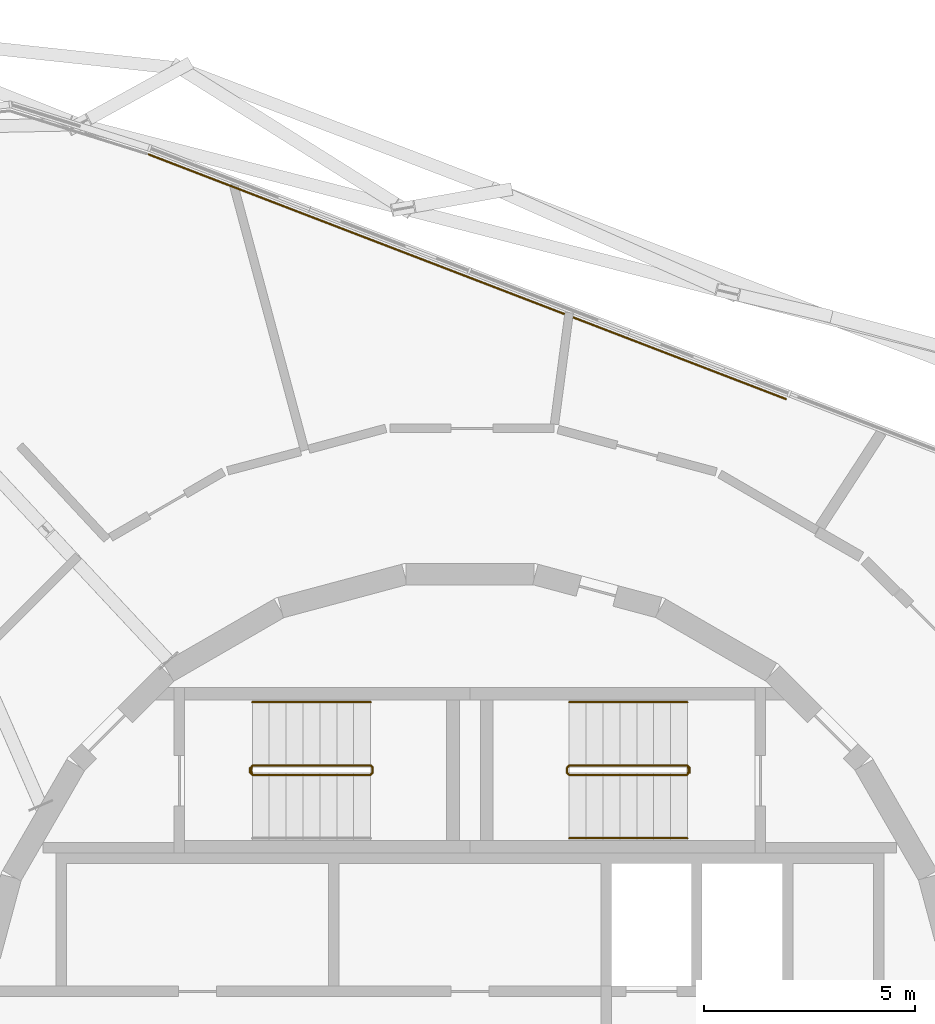
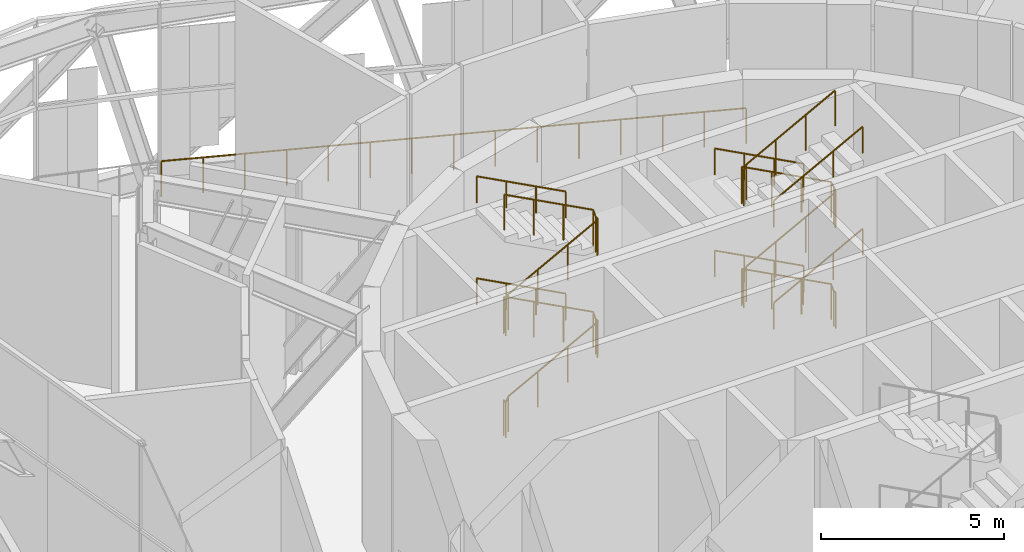
# One storey, part 25 of 25: 9 railings.
"""IFC4 building model written with IfcOpenShell, lengths in metres."""

import ifcopenshell
import ifcopenshell.guid

model = None  # the IFC model being written
_history = None  # IfcOwnerHistory: only IFC2X3 demands one
_inside = {}  # id of a spatial element -> (the spatial element, [elements in it])
_under = {}  # id of a project, library or spatial element -> (it, [spatial elements below it])
_declared = {}  # id of a project -> (the project, [libraries it declares])
_typed = {}  # id of a type object -> (the type object, [elements of that type])
_made_of = {}  # id of a material, layer set ... -> (it, [elements and type objects made of it])


def new_model(schema):
    """Start an empty IFC model of exactly this schema.

    Asked for "IFC4X3", IfcOpenShell would pick the latest addendum, in which some entities
    have other attributes; the version numbers below select the first issue.
    IFC2X3 requires an IfcOwnerHistory on every rooted entity: one is made here for all.
    """
    global model, _history
    if schema == "IFC4X3":
        model = ifcopenshell.file(schema_version=(4, 3, 0, 0))
    else:
        model = ifcopenshell.file(schema=schema)
    _inside.clear()
    _under.clear()
    _declared.clear()
    _typed.clear()
    _made_of.clear()
    _history = None
    if model.schema == "IFC2X3":
        org = make("IfcOrganization", Name="unknown")
        user = make(
            "IfcPersonAndOrganization",
            ThePerson=make("IfcPerson", FamilyName="unknown"),
            TheOrganization=org,
        )
        app = make(
            "IfcApplication",
            ApplicationDeveloper=org,
            Version="unknown",
            ApplicationFullName="unknown",
            ApplicationIdentifier="unknown",
        )
        _history = make(
            "IfcOwnerHistory",
            OwningUser=user,
            OwningApplication=app,
            ChangeAction="ADDED",
            CreationDate=0,
        )
    return model


def make(cls, **values):
    """One entity of the class cls with the attributes given. An attribute that is None is left unset."""
    return model.create_entity(
        cls, **{name: value for name, value in values.items() if value is not None}
    )


def rooted(cls, **values):
    """An entity with a GlobalId (a new one), such as an element, a storey or a relation."""
    return make(cls, GlobalId=ifcopenshell.guid.new(), OwnerHistory=_history, **values)


def si_unit(unit_type, name, prefix=None):
    """IfcSIUnit, for example si_unit("LENGTHUNIT", "METRE", prefix="MILLI")."""
    return make("IfcSIUnit", UnitType=unit_type, Prefix=prefix, Name=name)


def assignment(units):
    """IfcUnitAssignment: the units of a project."""
    return None if units is None else make("IfcUnitAssignment", Units=units)


def point(xyz):
    """IfcCartesianPoint."""
    return None if xyz is None else make("IfcCartesianPoint", Coordinates=xyz)


def direction(xyz):
    """IfcDirection."""
    return None if xyz is None else make("IfcDirection", DirectionRatios=xyz)


def frame(location, z_axis=None, x_axis=None):
    """IfcAxis2Placement3D, a coordinate frame: its origin and axes. An axis left out is left unset."""
    return make(
        "IfcAxis2Placement3D",
        Location=point(location),
        Axis=direction(z_axis),
        RefDirection=direction(x_axis),
    )


def frame_2d(location, x_axis=None):
    """IfcAxis2Placement2D, a coordinate frame in the plane: its origin and x axis."""
    return make(
        "IfcAxis2Placement2D", Location=point(location), RefDirection=direction(x_axis)
    )


def origin():
    """The frame at (0, 0, 0) with its axes left unset."""
    return frame((0.0, 0.0, 0.0))


def origin_2d():
    """The frame at (0, 0) in the plane with its x axis left unset."""
    return frame_2d((0.0, 0.0))


def place(relative_to, where):
    """IfcLocalPlacement: puts the frame where relative to a parent placement (None: the world)."""
    return make(
        "IfcLocalPlacement", PlacementRelTo=relative_to, RelativePlacement=where
    )


def context(
    kind, dimensions, precision=None, world=None, true_north=None, identifier=None
):
    """IfcGeometricRepresentationContext, for example the 3D "Model" context."""
    return make(
        "IfcGeometricRepresentationContext",
        ContextIdentifier=identifier,
        ContextType=kind,
        CoordinateSpaceDimension=dimensions,
        Precision=precision,
        WorldCoordinateSystem=world,
        TrueNorth=true_north,
    )


def subcontext(parent, identifier, kind, view, scale=None):
    """IfcGeometricRepresentationSubContext, for example "Body" below "Model"."""
    return make(
        "IfcGeometricRepresentationSubContext",
        ContextIdentifier=identifier,
        ContextType=kind,
        ParentContext=parent,
        TargetScale=scale,
        TargetView=view,
    )


def project(units=None, contexts=None):
    """IfcProject with its units and contexts."""
    return rooted(
        "IfcProject",
        Name="project",
        RepresentationContexts=contexts,
        UnitsInContext=assignment(units),
    )


def spatial(cls, under=None, at=None, **own):
    """A site, building, storey or space (cls), placed at a placement, below another one or the project."""
    s = rooted(cls, ObjectPlacement=at, **own)
    if under is not None:
        _under.setdefault(under.id(), (under, []))[1].append(s)
    return s


def profile(cls, at=None, kind="AREA", **sizes):
    """A parametric profile (cls). Its sizes go by their IFC names, for example OverallWidth=200.0."""
    return make(cls, ProfileType=kind, Position=at, **sizes)


def circle(**sizes):
    """IfcCircleProfileDef."""
    return profile("IfcCircleProfileDef", **sizes)


def extrude(swept, where, along, depth):
    """IfcExtrudedAreaSolid: the profile swept, set in the frame where, extruded along a direction by depth."""
    return make(
        "IfcExtrudedAreaSolid",
        SweptArea=swept,
        Position=where,
        ExtrudedDirection=direction(along),
        Depth=depth,
    )


def shape(context_of_items, identifier, shape_type, items):
    """IfcShapeRepresentation: the items that make up one representation, for example the "Body"."""
    return make(
        "IfcShapeRepresentation",
        ContextOfItems=context_of_items,
        RepresentationIdentifier=identifier,
        RepresentationType=shape_type,
        Items=items,
    )


def material(Name=None, Category=None):
    """IfcMaterial."""
    return make("IfcMaterial", Name=Name, Category=Category)


def made_of(thing, what):
    """Note that an element or type object is made of a material, layer set ...; save() writes the relation."""
    if what is not None:
        _made_of.setdefault(what.id(), (what, []))[1].append(thing)
    return thing


def type_object(cls, material=None, **own):
    """A type object (cls), such as IfcWallType, which elements share."""
    return made_of(rooted(cls, **own), material)


def element(
    cls,
    number,
    at=None,
    inside=None,
    cuts=None,
    type_object=None,
    material=None,
    context=None,
    identifier="Body",
    shape_type=None,
    held_by="IfcProductDefinitionShape",
    body=None,
    shapes=None,
    **own,
):
    """One element of the class cls, such as IfcWall. Its Tag is "e" and its number.

    at: its placement. inside: the storey or other place that contains it. cuts: it is an
    opening in that element (IfcRelVoidsElement). A single representation is given by context,
    identifier, shape_type and body (its items); several are given by shapes. held_by: the class
    of the entity that holds the representations. save() writes the other relations.
    """
    e = rooted(cls, Tag="e%d" % number, ObjectPlacement=at, **own)
    if body is not None:
        shapes = [shape(context, identifier, shape_type, body)]
    if shapes is not None:
        e.Representation = make(held_by, Representations=shapes)
    if inside is not None:
        _inside.setdefault(inside.id(), (inside, []))[1].append(e)
    if cuts is not None:
        rooted(
            "IfcRelVoidsElement", RelatingBuildingElement=cuts, RelatedOpeningElement=e
        )
    if type_object is not None:
        _typed.setdefault(type_object.id(), (type_object, []))[1].append(e)
    return made_of(e, material)


def aggregate(whole, parts):
    """IfcRelAggregates: a whole, such as a stair, and the parts it consists of."""
    return rooted("IfcRelAggregates", RelatingObject=whole, RelatedObjects=parts)


def save(model, path):
    """Write the relations noted so far, then the file.

    IfcRelAggregates (storeys below a building ...), IfcRelContainedInSpatialStructure (elements
    in a storey), IfcRelDefinesByType, IfcRelAssociatesMaterial and IfcRelDeclares: one each for
    every whole, place, type object, material and project.
    """
    for whole, parts in _under.values():
        aggregate(whole, parts)
    for where, things in _inside.values():
        rooted(
            "IfcRelContainedInSpatialStructure",
            RelatedElements=things,
            RelatingStructure=where,
        )
    for kind, things in _typed.values():
        rooted("IfcRelDefinesByType", RelatedObjects=things, RelatingType=kind)
    for what, things in _made_of.values():
        rooted("IfcRelAssociatesMaterial", RelatedObjects=things, RelatingMaterial=what)
    for by, libraries in _declared.values():
        rooted("IfcRelDeclares", RelatingContext=by, RelatedDefinitions=libraries)
    model.write(path)


model = new_model("IFC4")

# Units and contexts
model_context = context("Model", 3, precision=1e-05, world=origin(), true_north=direction((0.0, 1.0)))
body_context = subcontext(model_context, "Body", "Model", "MODEL_VIEW")
ifc_project = project(units=[si_unit("LENGTHUNIT", "METRE"), si_unit("AREAUNIT", "SQUARE_METRE"), si_unit("VOLUMEUNIT", "CUBIC_METRE"), si_unit("PLANEANGLEUNIT", "RADIAN"), si_unit("MASSUNIT", "GRAM", prefix="KILO")], contexts=[model_context])

# Site, building, storey
site_placement = place(None, origin())
site = spatial("IfcSite", under=ifc_project, at=site_placement, CompositionType="ELEMENT")
building_placement = place(site_placement, origin())
building = spatial("IfcBuilding", under=site, at=building_placement, Name="Spindle Arch Residences", CompositionType="ELEMENT")
storey_placement = place(building_placement, frame((0.0, 0.0, 291.39990234375)))
storey = spatial("IfcBuildingStorey", under=building, at=storey_placement, Name="L75", CompositionType="ELEMENT", Elevation=291.39990234375)

# Railings
ifc_material_1 = material(Name="Bronze anodised aluminium guard with glass infill", Category="aluminium")
railing_type_1 = type_object("IfcRailingType", Name="Facade guard 1200", PredefinedType="GUARDRAIL", material=ifc_material_1)
railing_1_placement = place(storey_placement, frame((7.478759765625, 15.795654296875, 0.0)))
element("IfcRailing", 1, at=railing_1_placement, inside=storey, type_object=railing_type_1, Name="Facade guard L75 2", PredefinedType="GUARDRAIL", context=body_context, shape_type="SweptSolid", body=[
    extrude(circle(Radius=0.02392578125, at=origin_2d()), frame((0.0, 0.0, 1.17578125), z_axis=(-0.933580267195, 0.358368364541, 0.0), x_axis=(-0.358368364541, -0.933580267195, 0.0)), (0.0, 0.0, 1.0), 16.1552734375),
    extrude(circle(Radius=0.02099609375, at=origin_2d()), origin(), (0.0, 0.0, 1.0), 1.15185546875),
    extrude(circle(Radius=0.02099609375, at=origin_2d()), frame((-1.077392578125, 0.41357421875, 0.0)), (0.0, 0.0, 1.0), 1.15185546875),
    extrude(circle(Radius=0.02099609375, at=origin_2d()), frame((-2.154541015625, 0.8271484375, 0.0)), (0.0, 0.0, 1.0), 1.15185546875),
    extrude(circle(Radius=0.02099609375, at=origin_2d()), frame((-3.23193359375, 1.24072265625, 0.0)), (0.0, 0.0, 1.0), 1.15185546875),
    extrude(circle(Radius=0.02099609375, at=origin_2d()), frame((-4.309326171875, 1.654052734375, 0.0)), (0.0, 0.0, 1.0), 1.15185546875),
    extrude(circle(Radius=0.02099609375, at=origin_2d()), frame((-5.386474609375, 2.067626953125, 0.0)), (0.0, 0.0, 1.0), 1.15185546875),
    extrude(circle(Radius=0.02099609375, at=origin_2d()), frame((-6.4638671875, 2.481201171875, 0.0)), (0.0, 0.0, 1.0), 1.15185546875),
    extrude(circle(Radius=0.02099609375, at=origin_2d()), frame((-7.541015625, 2.894775390625, 0.0)), (0.0, 0.0, 1.0), 1.15185546875),
    extrude(circle(Radius=0.02099609375, at=origin_2d()), frame((-8.618408203125, 3.308349609375, 0.0)), (0.0, 0.0, 1.0), 1.15185546875),
    extrude(circle(Radius=0.02099609375, at=origin_2d()), frame((-9.69580078125, 3.721923828125, 0.0)), (0.0, 0.0, 1.0), 1.15185546875),
    extrude(circle(Radius=0.02099609375, at=origin_2d()), frame((-10.77294921875, 4.135498046875, 0.0)), (0.0, 0.0, 1.0), 1.15185546875),
    extrude(circle(Radius=0.02099609375, at=origin_2d()), frame((-11.850341796875, 4.548828125, 0.0)), (0.0, 0.0, 1.0), 1.15185546875),
    extrude(circle(Radius=0.02099609375, at=origin_2d()), frame((-12.927734375, 4.96240234375, 0.0)), (0.0, 0.0, 1.0), 1.15185546875),
    extrude(circle(Radius=0.02099609375, at=origin_2d()), frame((-14.0048828125, 5.3759765625, 0.0)), (0.0, 0.0, 1.0), 1.15185546875),
    extrude(circle(Radius=0.02099609375, at=origin_2d()), frame((-15.082275390625, 5.78955078125, 0.0)), (0.0, 0.0, 1.0), 1.15185546875),
])
ifc_material_2 = material(Name="Steel, painted", Category="steel")
railing_type_2 = type_object("IfcRailingType", Name="Stair guard 1100", PredefinedType="GUARDRAIL", material=ifc_material_2)
railing_2_placement = place(storey_placement, frame((5.14990234375, 6.89990234375, 6.800048828125)))
element("IfcRailing", 2, at=railing_2_placement, inside=storey, type_object=railing_type_2, Name="L75 ST1 stair guard 1", PredefinedType="GUARDRAIL", context=body_context, shape_type="SweptSolid", body=[
    extrude(circle(Radius=0.02392578125, at=origin_2d()), frame((0.0, 0.0, 1.17578125), z_axis=(-0.883095778239, 0.0, -0.469192760447), x_axis=(0.0, -1.0, 0.0)), (0.0, 0.0, 1.0), 3.17041015625),
    extrude(circle(Radius=0.02392578125, at=origin_2d()), frame((-2.7998046875, 0.0, -0.3115234375), z_axis=(-0.223546962728, 0.223546962728, -0.948711500357), x_axis=(-0.707106781187, -0.707106781187, 0.0)), (0.0, 0.0, 1.0), 0.223876953125),
    extrude(circle(Radius=0.02392578125, at=origin_2d()), frame((-2.849853515625, 0.050048828125, -0.52392578125), z_axis=(0.0, 1.0, 0.0), x_axis=(-1.0, 0.0, 0.0)), (0.0, 0.0, 1.0), 0.1201171875),
    extrude(circle(Radius=0.02392578125, at=origin_2d()), frame((-2.849853515625, 0.170166015625, -0.52392578125), z_axis=(0.707106781187, 0.707106781187, 0.0), x_axis=(-0.707106781187, 0.707106781187, 0.0)), (0.0, 0.0, 1.0), 0.07080078125),
    extrude(circle(Radius=0.02392578125, at=origin_2d()), frame((-2.7998046875, 0.22021484375, -0.52392578125), z_axis=(0.883095778239, 0.0, -0.469192760447), x_axis=(0.0, 1.0, 0.0)), (0.0, 0.0, 1.0), 3.17041015625),
    extrude(circle(Radius=0.02392578125, at=origin_2d()), frame((0.0, 0.22021484375, -2.01171875), z_axis=(0.180861968005, -0.614930691216, -0.767560547142), x_axis=(0.959365501571, 0.282166323992, 0.0)), (0.0, 0.0, 1.0), 0.276611328125),
    extrude(circle(Radius=0.02392578125, at=origin_2d()), frame((0.050048828125, 0.050048828125, -2.22412109375), z_axis=(0.0, 1.0, 0.0), x_axis=(-1.0, 0.0, 0.0)), (0.0, 0.0, 1.0), 0.1201171875),
    extrude(circle(Radius=0.02392578125, at=origin_2d()), frame((0.050048828125, 0.170166015625, -2.22412109375), z_axis=(-0.282166323992, -0.959365501571, 0.0), x_axis=(0.959365501571, -0.282166323992, 0.0)), (0.0, 0.0, 1.0), 0.177490234375),
    extrude(circle(Radius=0.02392578125, at=origin_2d()), frame((0.0, 0.0, -2.22412109375), z_axis=(-0.883095778239, 0.0, -0.469192760447), x_axis=(0.0, -1.0, 0.0)), (0.0, 0.0, 1.0), 3.17041015625),
    extrude(circle(Radius=0.02392578125, at=origin_2d()), frame((-2.7998046875, 0.0, -3.71142578125), z_axis=(-0.223546962728, 0.223546962728, -0.948711500357), x_axis=(-0.707106781187, -0.707106781187, 0.0)), (0.0, 0.0, 1.0), 0.223876953125),
    extrude(circle(Radius=0.02392578125, at=origin_2d()), frame((-2.849853515625, 0.050048828125, -3.923828125), z_axis=(0.0, 1.0, 0.0), x_axis=(-1.0, 0.0, 0.0)), (0.0, 0.0, 1.0), 0.1201171875),
    extrude(circle(Radius=0.02392578125, at=origin_2d()), frame((-2.849853515625, 0.170166015625, -3.923828125), z_axis=(0.707106781187, 0.707106781187, 0.0), x_axis=(-0.707106781187, 0.707106781187, 0.0)), (0.0, 0.0, 1.0), 0.07080078125),
    extrude(circle(Radius=0.02392578125, at=origin_2d()), frame((-2.7998046875, 0.22021484375, -3.923828125), z_axis=(0.883095778239, 0.0, -0.469192760447), x_axis=(0.0, 1.0, 0.0)), (0.0, 0.0, 1.0), 3.17041015625),
    extrude(circle(Radius=0.02392578125, at=origin_2d()), frame((0.0, 0.22021484375, -5.41162109375), z_axis=(0.223315919267, -0.223315919267, -0.9488203204), x_axis=(0.707106781187, 0.707106781187, 0.0)), (0.0, 0.0, 1.0), 0.22412109375),
    extrude(circle(Radius=0.02392578125, at=origin_2d()), frame((0.050048828125, 0.170166015625, -5.6240234375), z_axis=(0.0, -1.0, 0.0), x_axis=(1.0, 0.0, 0.0)), (0.0, 0.0, 1.0), 0.1201171875),
    extrude(circle(Radius=0.02099609375, at=origin_2d()), origin(), (0.0, 0.0, 1.0), 1.15185546875),
    extrude(circle(Radius=0.02099609375, at=origin_2d()), frame((-0.933349609375, 0.0, -0.495849609375)), (0.0, 0.0, 1.0), 1.15185546875),
    extrude(circle(Radius=0.02099609375, at=origin_2d()), frame((-1.866455078125, 0.0, -0.99169921875)), (0.0, 0.0, 1.0), 1.15185546875),
    extrude(circle(Radius=0.02099609375, at=origin_2d()), frame((-2.7998046875, 0.0, -1.487548828125)), (0.0, 0.0, 1.0), 1.15185546875),
    extrude(circle(Radius=0.02099609375, at=origin_2d()), frame((-2.849853515625, 0.050048828125, -1.699951171875)), (0.0, 0.0, 1.0), 1.15185546875),
    extrude(circle(Radius=0.02099609375, at=origin_2d()), frame((-2.849853515625, 0.170166015625, -1.699951171875)), (0.0, 0.0, 1.0), 1.15185546875),
    extrude(circle(Radius=0.02099609375, at=origin_2d()), frame((-2.7998046875, 0.22021484375, -1.699951171875)), (0.0, 0.0, 1.0), 1.15185546875),
    extrude(circle(Radius=0.02099609375, at=origin_2d()), frame((-1.866455078125, 0.22021484375, -2.19580078125)), (0.0, 0.0, 1.0), 1.15185546875),
    extrude(circle(Radius=0.02099609375, at=origin_2d()), frame((-0.933349609375, 0.22021484375, -2.691650390625)), (0.0, 0.0, 1.0), 1.15185546875),
    extrude(circle(Radius=0.02099609375, at=origin_2d()), frame((0.0, 0.22021484375, -3.1875)), (0.0, 0.0, 1.0), 1.15185546875),
    extrude(circle(Radius=0.02099609375, at=origin_2d()), frame((0.050048828125, 0.050048828125, -3.39990234375)), (0.0, 0.0, 1.0), 1.15185546875),
    extrude(circle(Radius=0.02099609375, at=origin_2d()), frame((0.050048828125, 0.170166015625, -3.39990234375)), (0.0, 0.0, 1.0), 1.15185546875),
    extrude(circle(Radius=0.02099609375, at=origin_2d()), frame((0.0, 0.0, -3.39990234375)), (0.0, 0.0, 1.0), 1.15185546875),
    extrude(circle(Radius=0.02099609375, at=origin_2d()), frame((-0.933349609375, 0.0, -3.895751953125)), (0.0, 0.0, 1.0), 1.15185546875),
    extrude(circle(Radius=0.02099609375, at=origin_2d()), frame((-1.866455078125, 0.0, -4.3916015625)), (0.0, 0.0, 1.0), 1.15185546875),
    extrude(circle(Radius=0.02099609375, at=origin_2d()), frame((-2.7998046875, 0.0, -4.887451171875)), (0.0, 0.0, 1.0), 1.15185546875),
    extrude(circle(Radius=0.02099609375, at=origin_2d()), frame((-2.849853515625, 0.050048828125, -5.099853515625)), (0.0, 0.0, 1.0), 1.15185546875),
    extrude(circle(Radius=0.02099609375, at=origin_2d()), frame((-2.849853515625, 0.170166015625, -5.099853515625)), (0.0, 0.0, 1.0), 1.15185546875),
    extrude(circle(Radius=0.02099609375, at=origin_2d()), frame((-2.7998046875, 0.22021484375, -5.099853515625)), (0.0, 0.0, 1.0), 1.15185546875),
    extrude(circle(Radius=0.02099609375, at=origin_2d()), frame((-1.866455078125, 0.22021484375, -5.595703125)), (0.0, 0.0, 1.0), 1.15185546875),
    extrude(circle(Radius=0.02099609375, at=origin_2d()), frame((-0.933349609375, 0.22021484375, -6.091552734375)), (0.0, 0.0, 1.0), 1.15185546875),
    extrude(circle(Radius=0.02099609375, at=origin_2d()), frame((0.0, 0.22021484375, -6.58740234375)), (0.0, 0.0, 1.0), 1.15185546875),
    extrude(circle(Radius=0.02099609375, at=origin_2d()), frame((0.050048828125, 0.170166015625, -6.800048828125)), (0.0, 0.0, 1.0), 1.15185546875),
    extrude(circle(Radius=0.02099609375, at=origin_2d()), frame((0.050048828125, 0.050048828125, -6.800048828125)), (0.0, 0.0, 1.0), 1.15185546875),
])
railing_3_placement = place(storey_placement, frame((-5.14990234375, 7.1201171875, 6.800048828125)))
element("IfcRailing", 3, at=railing_3_placement, inside=storey, type_object=railing_type_2, Name="L75 ST2 stair guard 1", PredefinedType="GUARDRAIL", context=body_context, shape_type="SweptSolid", body=[
    extrude(circle(Radius=0.02392578125, at=origin_2d()), frame((0.0, 0.0, 1.17578125), z_axis=(0.883095778239, 0.0, -0.469192760447), x_axis=(0.0, 1.0, 0.0)), (0.0, 0.0, 1.0), 3.17041015625),
    extrude(circle(Radius=0.02392578125, at=origin_2d()), frame((2.7998046875, 0.0, -0.3115234375), z_axis=(0.223546962728, -0.223546962728, -0.948711500357), x_axis=(0.707106781187, 0.707106781187, 0.0)), (0.0, 0.0, 1.0), 0.223876953125),
    extrude(circle(Radius=0.02392578125, at=origin_2d()), frame((2.849853515625, -0.050048828125, -0.52392578125), z_axis=(0.0, -1.0, 0.0), x_axis=(1.0, 0.0, 0.0)), (0.0, 0.0, 1.0), 0.1201171875),
    extrude(circle(Radius=0.02392578125, at=origin_2d()), frame((2.849853515625, -0.170166015625, -0.52392578125), z_axis=(-0.707106781187, -0.707106781187, 0.0), x_axis=(0.707106781187, -0.707106781187, 0.0)), (0.0, 0.0, 1.0), 0.07080078125),
    extrude(circle(Radius=0.02392578125, at=origin_2d()), frame((2.7998046875, -0.22021484375, -0.52392578125), z_axis=(-0.883095778239, 0.0, -0.469192760447), x_axis=(0.0, -1.0, 0.0)), (0.0, 0.0, 1.0), 3.17041015625),
    extrude(circle(Radius=0.02392578125, at=origin_2d()), frame((0.0, -0.22021484375, -2.01171875), z_axis=(-0.180861968005, 0.614930691216, -0.767560547142), x_axis=(-0.959365501571, -0.282166323992, 0.0)), (0.0, 0.0, 1.0), 0.276611328125),
    extrude(circle(Radius=0.02392578125, at=origin_2d()), frame((-0.050048828125, -0.050048828125, -2.22412109375), z_axis=(0.0, -1.0, 0.0), x_axis=(1.0, 0.0, 0.0)), (0.0, 0.0, 1.0), 0.1201171875),
    extrude(circle(Radius=0.02392578125, at=origin_2d()), frame((-0.050048828125, -0.170166015625, -2.22412109375), z_axis=(0.282166323992, 0.959365501571, 0.0), x_axis=(-0.959365501571, 0.282166323992, 0.0)), (0.0, 0.0, 1.0), 0.177490234375),
    extrude(circle(Radius=0.02392578125, at=origin_2d()), frame((0.0, 0.0, -2.22412109375), z_axis=(0.883095778239, 0.0, -0.469192760447), x_axis=(0.0, 1.0, 0.0)), (0.0, 0.0, 1.0), 3.17041015625),
    extrude(circle(Radius=0.02392578125, at=origin_2d()), frame((2.7998046875, 0.0, -3.71142578125), z_axis=(0.223546962728, -0.223546962728, -0.948711500357), x_axis=(0.707106781187, 0.707106781187, 0.0)), (0.0, 0.0, 1.0), 0.223876953125),
    extrude(circle(Radius=0.02392578125, at=origin_2d()), frame((2.849853515625, -0.050048828125, -3.923828125), z_axis=(0.0, -1.0, 0.0), x_axis=(1.0, 0.0, 0.0)), (0.0, 0.0, 1.0), 0.1201171875),
    extrude(circle(Radius=0.02392578125, at=origin_2d()), frame((2.849853515625, -0.170166015625, -3.923828125), z_axis=(-0.707106781187, -0.707106781187, 0.0), x_axis=(0.707106781187, -0.707106781187, 0.0)), (0.0, 0.0, 1.0), 0.07080078125),
    extrude(circle(Radius=0.02392578125, at=origin_2d()), frame((2.7998046875, -0.22021484375, -3.923828125), z_axis=(-0.883095778239, 0.0, -0.469192760447), x_axis=(0.0, -1.0, 0.0)), (0.0, 0.0, 1.0), 3.17041015625),
    extrude(circle(Radius=0.02392578125, at=origin_2d()), frame((0.0, -0.22021484375, -5.41162109375), z_axis=(-0.223315919267, 0.223315919267, -0.9488203204), x_axis=(-0.707106781187, -0.707106781187, 0.0)), (0.0, 0.0, 1.0), 0.22412109375),
    extrude(circle(Radius=0.02392578125, at=origin_2d()), frame((-0.050048828125, -0.170166015625, -5.6240234375), z_axis=(0.0, 1.0, 0.0), x_axis=(-1.0, 0.0, 0.0)), (0.0, 0.0, 1.0), 0.1201171875),
    extrude(circle(Radius=0.02099609375, at=origin_2d()), origin(), (0.0, 0.0, 1.0), 1.15185546875),
    extrude(circle(Radius=0.02099609375, at=origin_2d()), frame((0.933349609375, 0.0, -0.495849609375)), (0.0, 0.0, 1.0), 1.15185546875),
    extrude(circle(Radius=0.02099609375, at=origin_2d()), frame((1.866455078125, 0.0, -0.99169921875)), (0.0, 0.0, 1.0), 1.15185546875),
    extrude(circle(Radius=0.02099609375, at=origin_2d()), frame((2.7998046875, 0.0, -1.487548828125)), (0.0, 0.0, 1.0), 1.15185546875),
    extrude(circle(Radius=0.02099609375, at=origin_2d()), frame((2.849853515625, -0.050048828125, -1.699951171875)), (0.0, 0.0, 1.0), 1.15185546875),
    extrude(circle(Radius=0.02099609375, at=origin_2d()), frame((2.849853515625, -0.170166015625, -1.699951171875)), (0.0, 0.0, 1.0), 1.15185546875),
    extrude(circle(Radius=0.02099609375, at=origin_2d()), frame((2.7998046875, -0.22021484375, -1.699951171875)), (0.0, 0.0, 1.0), 1.15185546875),
    extrude(circle(Radius=0.02099609375, at=origin_2d()), frame((1.866455078125, -0.22021484375, -2.19580078125)), (0.0, 0.0, 1.0), 1.15185546875),
    extrude(circle(Radius=0.02099609375, at=origin_2d()), frame((0.933349609375, -0.22021484375, -2.691650390625)), (0.0, 0.0, 1.0), 1.15185546875),
    extrude(circle(Radius=0.02099609375, at=origin_2d()), frame((0.0, -0.22021484375, -3.1875)), (0.0, 0.0, 1.0), 1.15185546875),
    extrude(circle(Radius=0.02099609375, at=origin_2d()), frame((-0.050048828125, -0.050048828125, -3.39990234375)), (0.0, 0.0, 1.0), 1.15185546875),
    extrude(circle(Radius=0.02099609375, at=origin_2d()), frame((-0.050048828125, -0.170166015625, -3.39990234375)), (0.0, 0.0, 1.0), 1.15185546875),
    extrude(circle(Radius=0.02099609375, at=origin_2d()), frame((0.0, 0.0, -3.39990234375)), (0.0, 0.0, 1.0), 1.15185546875),
    extrude(circle(Radius=0.02099609375, at=origin_2d()), frame((0.933349609375, 0.0, -3.895751953125)), (0.0, 0.0, 1.0), 1.15185546875),
    extrude(circle(Radius=0.02099609375, at=origin_2d()), frame((1.866455078125, 0.0, -4.3916015625)), (0.0, 0.0, 1.0), 1.15185546875),
    extrude(circle(Radius=0.02099609375, at=origin_2d()), frame((2.7998046875, 0.0, -4.887451171875)), (0.0, 0.0, 1.0), 1.15185546875),
    extrude(circle(Radius=0.02099609375, at=origin_2d()), frame((2.849853515625, -0.050048828125, -5.099853515625)), (0.0, 0.0, 1.0), 1.15185546875),
    extrude(circle(Radius=0.02099609375, at=origin_2d()), frame((2.849853515625, -0.170166015625, -5.099853515625)), (0.0, 0.0, 1.0), 1.15185546875),
    extrude(circle(Radius=0.02099609375, at=origin_2d()), frame((2.7998046875, -0.22021484375, -5.099853515625)), (0.0, 0.0, 1.0), 1.15185546875),
    extrude(circle(Radius=0.02099609375, at=origin_2d()), frame((1.866455078125, -0.22021484375, -5.595703125)), (0.0, 0.0, 1.0), 1.15185546875),
    extrude(circle(Radius=0.02099609375, at=origin_2d()), frame((0.933349609375, -0.22021484375, -6.091552734375)), (0.0, 0.0, 1.0), 1.15185546875),
    extrude(circle(Radius=0.02099609375, at=origin_2d()), frame((0.0, -0.22021484375, -6.58740234375)), (0.0, 0.0, 1.0), 1.15185546875),
    extrude(circle(Radius=0.02099609375, at=origin_2d()), frame((-0.050048828125, -0.170166015625, -6.800048828125)), (0.0, 0.0, 1.0), 1.15185546875),
    extrude(circle(Radius=0.02099609375, at=origin_2d()), frame((-0.050048828125, -0.050048828125, -6.800048828125)), (0.0, 0.0, 1.0), 1.15185546875),
])
ifc_material_3 = material(Name="Steel, painted", Category="steel")
railing_type_3 = type_object("IfcRailingType", Name="Stair handrail 900", PredefinedType="HANDRAIL", material=ifc_material_3)
railing_4_placement = place(storey_placement, frame((5.14990234375, 8.6201171875, 0.212646484375)))
element("IfcRailing", 4, at=railing_4_placement, inside=storey, type_object=railing_type_3, Name="L75 ST1 stair handrail 1", PredefinedType="HANDRAIL", context=body_context, shape_type="SweptSolid", body=[
    extrude(circle(Radius=0.02392578125, at=origin_2d()), frame((0.0, 0.0, 0.8759765625), z_axis=(-0.883095778239, 0.0, 0.469192760447), x_axis=(0.0, -1.0, 0.0)), (0.0, 0.0, 1.0), 3.17041015625),
    extrude(circle(Radius=0.02099609375, at=origin_2d()), origin(), (0.0, 0.0, 1.0), 0.851806640625),
    extrude(circle(Radius=0.02099609375, at=origin_2d()), frame((-0.933349609375, 0.0, 0.495849609375)), (0.0, 0.0, 1.0), 0.851806640625),
    extrude(circle(Radius=0.02099609375, at=origin_2d()), frame((-1.866455078125, 0.0, 0.99169921875)), (0.0, 0.0, 1.0), 0.851806640625),
    extrude(circle(Radius=0.02099609375, at=origin_2d()), frame((-2.7998046875, 0.0, 1.487548828125)), (0.0, 0.0, 1.0), 0.851806640625),
])
railing_5_placement = place(storey_placement, frame((2.35009765625, 5.39990234375, 1.91259765625)))
element("IfcRailing", 5, at=railing_5_placement, inside=storey, type_object=railing_type_3, Name="L75 ST1 stair handrail 2", PredefinedType="HANDRAIL", context=body_context, shape_type="SweptSolid", body=[
    extrude(circle(Radius=0.02392578125, at=origin_2d()), frame((0.0, 0.0, 0.8759765625), z_axis=(0.883095778239, 0.0, 0.469192760447), x_axis=(0.0, 1.0, 0.0)), (0.0, 0.0, 1.0), 3.17041015625),
    extrude(circle(Radius=0.02099609375, at=origin_2d()), origin(), (0.0, 0.0, 1.0), 0.851806640625),
    extrude(circle(Radius=0.02099609375, at=origin_2d()), frame((0.933349609375, 0.0, 0.495849609375)), (0.0, 0.0, 1.0), 0.851806640625),
    extrude(circle(Radius=0.02099609375, at=origin_2d()), frame((1.866455078125, 0.0, 0.99169921875)), (0.0, 0.0, 1.0), 0.851806640625),
    extrude(circle(Radius=0.02099609375, at=origin_2d()), frame((2.7998046875, 0.0, 1.487548828125)), (0.0, 0.0, 1.0), 0.851806640625),
])
railing_6_placement = place(storey_placement, frame((5.14990234375, 8.6201171875, 3.612548828125)))
element("IfcRailing", 6, at=railing_6_placement, inside=storey, type_object=railing_type_3, Name="L75 ST1 stair handrail 3", PredefinedType="HANDRAIL", context=body_context, shape_type="SweptSolid", body=[
    extrude(circle(Radius=0.02392578125, at=origin_2d()), frame((0.0, 0.0, 0.8759765625), z_axis=(-0.883095778239, 0.0, 0.469192760447), x_axis=(0.0, -1.0, 0.0)), (0.0, 0.0, 1.0), 3.17041015625),
    extrude(circle(Radius=0.02099609375, at=origin_2d()), origin(), (0.0, 0.0, 1.0), 0.851806640625),
    extrude(circle(Radius=0.02099609375, at=origin_2d()), frame((-0.933349609375, 0.0, 0.495849609375)), (0.0, 0.0, 1.0), 0.851806640625),
    extrude(circle(Radius=0.02099609375, at=origin_2d()), frame((-1.866455078125, 0.0, 0.99169921875)), (0.0, 0.0, 1.0), 0.851806640625),
    extrude(circle(Radius=0.02099609375, at=origin_2d()), frame((-2.7998046875, 0.0, 1.487548828125)), (0.0, 0.0, 1.0), 0.851806640625),
])
railing_7_placement = place(storey_placement, frame((2.35009765625, 5.39990234375, 5.3125)))
element("IfcRailing", 7, at=railing_7_placement, inside=storey, type_object=railing_type_3, Name="L75 ST1 stair handrail 4", PredefinedType="HANDRAIL", context=body_context, shape_type="SweptSolid", body=[
    extrude(circle(Radius=0.02392578125, at=origin_2d()), frame((0.0, 0.0, 0.8759765625), z_axis=(0.883095778239, 0.0, 0.469192760447), x_axis=(0.0, 1.0, 0.0)), (0.0, 0.0, 1.0), 3.17041015625),
    extrude(circle(Radius=0.02099609375, at=origin_2d()), origin(), (0.0, 0.0, 1.0), 0.851806640625),
    extrude(circle(Radius=0.02099609375, at=origin_2d()), frame((0.933349609375, 0.0, 0.495849609375)), (0.0, 0.0, 1.0), 0.851806640625),
    extrude(circle(Radius=0.02099609375, at=origin_2d()), frame((1.866455078125, 0.0, 0.99169921875)), (0.0, 0.0, 1.0), 0.851806640625),
    extrude(circle(Radius=0.02099609375, at=origin_2d()), frame((2.7998046875, 0.0, 1.487548828125)), (0.0, 0.0, 1.0), 0.851806640625),
])
for number, where, name in (
    (8, (-2.35009765625, 8.6201171875, 1.91259765625), "L75 ST2 stair handrail 2"),
    (9, (-2.35009765625, 8.6201171875, 5.3125), "L75 ST2 stair handrail 4"),
):
    element("IfcRailing", number, at=place(storey_placement, frame(where)), inside=storey, type_object=railing_type_3, Name=name, PredefinedType="HANDRAIL", context=body_context, shape_type="SweptSolid", body=[
        extrude(circle(Radius=0.02392578125, at=origin_2d()), frame((0.0, 0.0, 0.8759765625), z_axis=(-0.883095778239, 0.0, 0.469192760447), x_axis=(0.0, -1.0, 0.0)), (0.0, 0.0, 1.0), 3.17041015625),
        extrude(circle(Radius=0.02099609375, at=origin_2d()), origin(), (0.0, 0.0, 1.0), 0.851806640625),
        extrude(circle(Radius=0.02099609375, at=origin_2d()), frame((-0.933349609375, 0.0, 0.495849609375)), (0.0, 0.0, 1.0), 0.851806640625),
        extrude(circle(Radius=0.02099609375, at=origin_2d()), frame((-1.866455078125, 0.0, 0.99169921875)), (0.0, 0.0, 1.0), 0.851806640625),
        extrude(circle(Radius=0.02099609375, at=origin_2d()), frame((-2.7998046875, 0.0, 1.487548828125)), (0.0, 0.0, 1.0), 0.851806640625),
    ])

save(model, "model.ifc")
